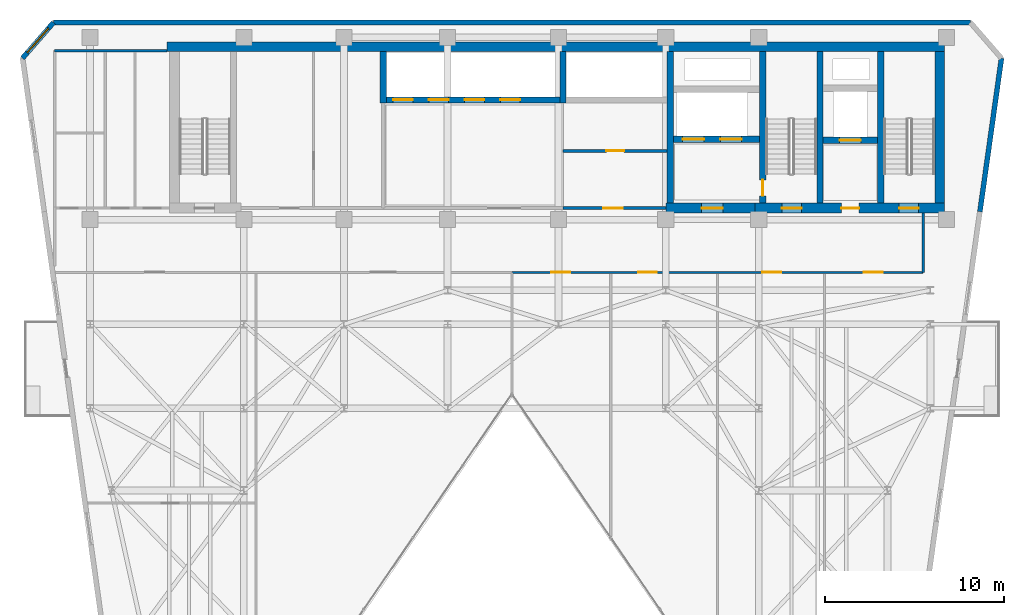
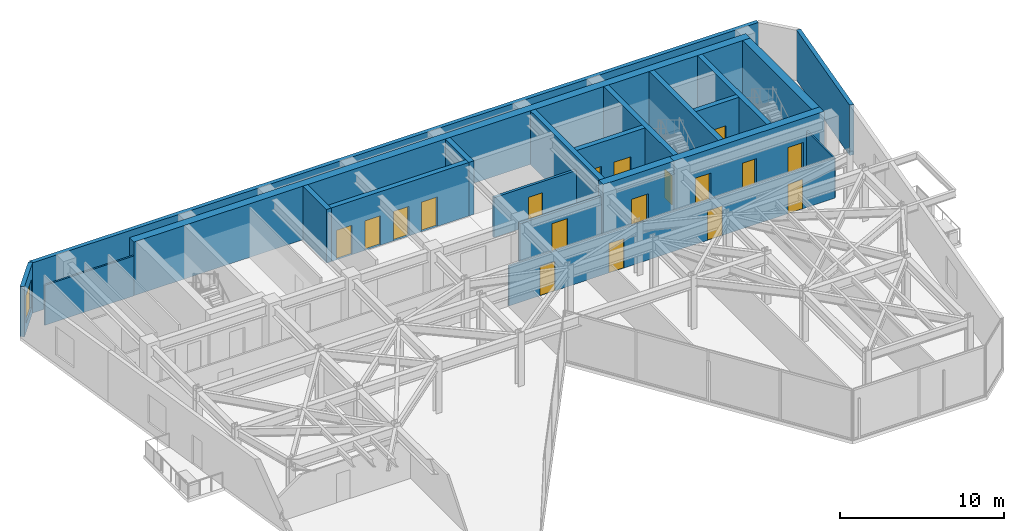
# One storey, part 17 of 21: 21 walls, 18 doors, 1 window, 19 openings.
"""IFC4 building model written with IfcOpenShell, lengths in metres."""

from ifc_helpers import new_model, si_unit, direction, frame, frame_2d, origin, place, context, subcontext, project, spatial, rectangle, extrude, material, layer, layer_set, type_object, element, fill, save


model = new_model("IFC4")

# Units and contexts
model_context = context("Model", 3, precision=1e-05, world=origin(), true_north=direction((0.0, 1.0)))
body_context = subcontext(model_context, "Body", "Model", "MODEL_VIEW")
ifc_project = project(units=[si_unit("LENGTHUNIT", "METRE"), si_unit("AREAUNIT", "SQUARE_METRE"), si_unit("VOLUMEUNIT", "CUBIC_METRE"), si_unit("PLANEANGLEUNIT", "RADIAN"), si_unit("MASSUNIT", "GRAM", prefix="KILO")], contexts=[model_context])

# Site, building, storey
site_placement = place(None, origin())
site = spatial("IfcSite", under=ifc_project, at=site_placement, CompositionType="ELEMENT")
building_placement = place(site_placement, origin())
building = spatial("IfcBuilding", under=site, at=building_placement, Name="Kravanh Interchange Tower", CompositionType="ELEMENT")
storey_placement = place(building_placement, frame((0.0, 0.0, 176.5)))
storey = spatial("IfcBuildingStorey", under=building, at=storey_placement, Name="L42", CompositionType="ELEMENT", Elevation=176.5)

# Wall
ifc_material_1 = material(Name="Double Acoustic Gypsum Board and Mineral Wool")
ifc_layer_1 = layer(ifc_material_1, 0.1201171875)
ifc_layer_set_1 = layer_set([ifc_layer_1], Name="Acoustic Office Drywall Partition 120mm")
wall_type_1 = type_object("IfcWallType", Name="Acoustic Office Drywall Partition 120mm", PredefinedType="PARTITIONING", material=ifc_layer_set_1)
wall_1_placement = place(storey_placement, frame((16.6201171875, 46.800048828125, 0.0), z_axis=(0.0, 0.0, 1.0), x_axis=(1.0, 0.0, 0.0)))
element("IfcWall", 1, at=wall_1_placement, inside=storey, type_object=wall_type_1, Name="L42 Restroom North Enclosure 9", PredefinedType="PARTITIONING", context=body_context, shape_type="SweptSolid", body=[
    extrude(rectangle(XDim=6.27978515625, YDim=0.1201171875, at=frame_2d((3.139892578125, 0.0))), origin(), (0.0, 0.0, 1.0), 2.98193359375),
])

# Wall, openings, doors
wall_2_placement = place(storey_placement, frame((42.199951171875, 34.39990234375, 0.0), z_axis=(0.0, 0.0, 1.0), x_axis=(1.0, 0.0, 0.0)))
wall_2 = element("IfcWall", 2, at=wall_2_placement, inside=storey, type_object=wall_type_1, Name="L42 Interior Partition 14", PredefinedType="PARTITIONING", context=body_context, shape_type="SweptSolid", body=[
    extrude(rectangle(XDim=23.0, YDim=0.1201171875, at=frame_2d((11.5, 0.0))), origin(), (0.0, 0.0, 1.0), 2.98193359375),
])
opening_1_placement = place(wall_2_placement, frame((2.194580078125, 0.0, 0.0)))
opening_1 = element("IfcOpeningElement", 3, at=opening_1_placement, cuts=wall_2, Name="Opening D-105", PredefinedType="OPENING", context=body_context, shape_type="SweptSolid", body=[
    extrude(rectangle(XDim=1.050048828125, YDim=2.199951171875, at=frame_2d((0.52490234375, 1.10009765625))), frame((0.0, 0.070068359375, 0.0), z_axis=(0.0, -1.0, 0.0), x_axis=(1.0, 0.0, 0.0)), (0.0, 0.0, 1.0), 0.14013671875),
])
opening_2_placement = place(wall_2_placement, frame((7.05859375, 0.0, 0.0)))
opening_2 = element("IfcOpeningElement", 4, at=opening_2_placement, cuts=wall_2, Name="Opening D-105", PredefinedType="OPENING", context=body_context, shape_type="SweptSolid", body=[
    extrude(rectangle(XDim=1.050048828125, YDim=2.199951171875, at=frame_2d((0.52490234375, 1.10009765625))), frame((0.0, 0.070068359375, 0.0), z_axis=(0.0, -1.0, 0.0), x_axis=(1.0, 0.0, 0.0)), (0.0, 0.0, 1.0), 0.14013671875),
])
opening_3_placement = place(wall_2_placement, frame((14.00537109375, 0.0, 0.0)))
opening_3 = element("IfcOpeningElement", 5, at=opening_3_placement, cuts=wall_2, Name="Opening D-105", PredefinedType="OPENING", context=body_context, shape_type="SweptSolid", body=[
    extrude(rectangle(XDim=1.050048828125, YDim=2.199951171875, at=frame_2d((0.52490234375, 1.10009765625))), frame((0.0, 0.070068359375, 0.0), z_axis=(0.0, -1.0, 0.0), x_axis=(1.0, 0.0, 0.0)), (0.0, 0.0, 1.0), 0.14013671875),
])
opening_4_placement = place(wall_2_placement, frame((19.674560546875, 0.0, 0.0)))
opening_4 = element("IfcOpeningElement", 6, at=opening_4_placement, cuts=wall_2, Name="Opening D-105", PredefinedType="OPENING", context=body_context, shape_type="SweptSolid", body=[
    extrude(rectangle(XDim=1.050048828125, YDim=2.199951171875, at=frame_2d((0.52490234375, 1.10009765625))), frame((0.0, 0.070068359375, 0.0), z_axis=(0.0, -1.0, 0.0), x_axis=(1.0, 0.0, 0.0)), (0.0, 0.0, 1.0), 0.14013671875),
])
ifc_material_2 = material(Name="Acoustic Glazed Oak and Aluminium", Category="aluminium")
door_type_1 = type_object("IfcDoorType", Name="Office Workplace Door 1050x2200", OperationType="NOTDEFINED", PredefinedType="DOOR", material=ifc_material_2)
door_1_placement = place(opening_1_placement, origin())
door_1 = element("IfcDoor", 7, at=door_1_placement, inside=storey, type_object=door_type_1, Name="L42 Panorama Club Lounge Door", OperationType="SINGLE_SWING_RIGHT", OverallHeight=2.199951171875, OverallWidth=1.050048828125, PredefinedType="DOOR", context=body_context, shape_type="SweptSolid", body=[
    extrude(rectangle(XDim=1.050048828125, YDim=2.199951171875, at=frame_2d((0.52490234375, 1.10009765625))), frame((0.0, 0.02490234375, 0.0), z_axis=(0.0, -1.0, 0.0), x_axis=(1.0, 0.0, 0.0)), (0.0, 0.0, 1.0), 0.050048828125),
])
fill(opening_1, door_1)
door_2_placement = place(opening_2_placement, origin())
door_2 = element("IfcDoor", 8, at=door_2_placement, inside=storey, type_object=door_type_1, Name="L42 Quiet Study B Door", OperationType="SINGLE_SWING_LEFT", OverallHeight=2.199951171875, OverallWidth=1.050048828125, PredefinedType="DOOR", context=body_context, shape_type="SweptSolid", body=[
    extrude(rectangle(XDim=1.050048828125, YDim=2.199951171875, at=frame_2d((0.52490234375, 1.10009765625))), frame((0.0, 0.02490234375, 0.0), z_axis=(0.0, -1.0, 0.0), x_axis=(1.0, 0.0, 0.0)), (0.0, 0.0, 1.0), 0.050048828125),
])
fill(opening_2, door_2)
door_3_placement = place(opening_3_placement, origin())
door_3 = element("IfcDoor", 9, at=door_3_placement, inside=storey, type_object=door_type_1, Name="L42 Reference Library Study C Door", OperationType="SINGLE_SWING_RIGHT", OverallHeight=2.199951171875, OverallWidth=1.050048828125, PredefinedType="DOOR", context=body_context, shape_type="SweptSolid", body=[
    extrude(rectangle(XDim=1.050048828125, YDim=2.199951171875, at=frame_2d((0.52490234375, 1.10009765625))), frame((0.0, 0.02490234375, 0.0), z_axis=(0.0, -1.0, 0.0), x_axis=(1.0, 0.0, 0.0)), (0.0, 0.0, 1.0), 0.050048828125),
])
fill(opening_3, door_3)
door_4_placement = place(opening_4_placement, origin())
door_4 = element("IfcDoor", 10, at=door_4_placement, inside=storey, type_object=door_type_1, Name="L42 East Balcony Office Door", OperationType="SINGLE_SWING_LEFT", OverallHeight=2.199951171875, OverallWidth=1.050048828125, PredefinedType="DOOR", context=body_context, shape_type="SweptSolid", body=[
    extrude(rectangle(XDim=1.050048828125, YDim=2.199951171875, at=frame_2d((0.52490234375, 1.10009765625))), frame((0.0, 0.02490234375, 0.0), z_axis=(0.0, -1.0, 0.0), x_axis=(1.0, 0.0, 0.0)), (0.0, 0.0, 1.0), 0.050048828125),
])
fill(opening_4, door_4)

# Walls
wall_3_placement = place(storey_placement, frame((65.199951171875, 34.39990234375, 0.0), z_axis=(0.0, 0.0, 1.0), x_axis=(0.0, 1.0, 0.0)))
element("IfcWall", 11, at=wall_3_placement, inside=storey, type_object=wall_type_1, Name="L42 Interior Partition 16", PredefinedType="PARTITIONING", context=body_context, shape_type="SweptSolid", body=[
    extrude(rectangle(XDim=3.317138671875, YDim=0.1201171875, at=frame_2d((1.65869140625, 0.0))), origin(), (0.0, 0.0, 1.0), 2.98193359375),
])
ifc_material_3 = material(Name="Concrete C60/75", Category="concrete")
ifc_layer_2 = layer(ifc_material_3, 0.35009765625)
ifc_layer_set_2 = layer_set([ifc_layer_2], Name="Core Shear Wall Concrete C60/75 350mm")
wall_type_2 = type_object("IfcWallType", Name="Core Shear Wall Concrete C60/75 350mm", PredefinedType="SHEAR", material=ifc_layer_set_2)
for number, where, z_axis, x_axis, name in (
    (12, (62.824951171875, 38.27490234375, 0.0), (0.0, 0.0, 1.0), (0.0, 1.0, 0.0), "L42 Stair ST1 West Shear Wall"),
    (13, (59.425048828125, 38.27490234375, 0.0), (0.0, 0.0, 1.0), (0.0, 1.0, 0.0), "L42 Stair ST2 East Shear Wall"),
):
    element("IfcWall", number, at=place(storey_placement, frame(where, z_axis=z_axis, x_axis=x_axis)), inside=storey, type_object=wall_type_2, Name=name, PredefinedType="SHEAR", context=body_context, shape_type="SweptSolid", body=[
        extrude(rectangle(XDim=8.47509765625, YDim=0.35009765625, at=frame_2d((4.237548828125, 0.0))), origin(), (0.0, 0.0, 1.0), 4.0),
    ])

# Wall, opening, door
wall_4_placement = place(storey_placement, frame((56.22509765625, 38.27490234375, 0.0), z_axis=(0.0, 0.0, 1.0), x_axis=(0.0, 1.0, 0.0)))
wall_4 = element("IfcWall", 14, at=wall_4_placement, inside=storey, type_object=wall_type_2, Name="L42 Stair ST2 West Shear Wall", PredefinedType="SHEAR", context=body_context, shape_type="SweptSolid", body=[
    extrude(rectangle(XDim=8.47509765625, YDim=0.35009765625, at=frame_2d((4.237548828125, 0.0))), origin(), (0.0, 0.0, 1.0), 4.0),
])
opening_5_placement = place(wall_4_placement, frame((0.405029296875, 0.0, 0.0)))
opening_5 = element("IfcOpeningElement", 15, at=opening_5_placement, cuts=wall_4, Name="Opening D-STAIR-90", PredefinedType="OPENING", context=body_context, shape_type="SweptSolid", body=[
    extrude(rectangle(XDim=0.89990234375, YDim=2.14990234375, at=frame_2d((0.449951171875, 1.074951171875))), frame((0.0, 0.18505859375, 0.0), z_axis=(0.0, -1.0, 0.0), x_axis=(1.0, 0.0, 0.0)), (0.0, 0.0, 1.0), 0.3701171875),
])
ifc_material_4 = material(Name="Structural Steel S355", Category="steel")
door_type_2 = type_object("IfcDoorType", Name="Fire-Rated Stair Lobby Door 900x2150", OperationType="NOTDEFINED", PredefinedType="DOOR", material=ifc_material_4)
door_5_placement = place(opening_5_placement, origin())
door_5 = element("IfcDoor", 16, at=door_5_placement, inside=storey, type_object=door_type_2, Name="L42 Firefighting Lobby to Stair ST2 Door", OperationType="SINGLE_SWING_LEFT", OverallHeight=2.14990234375, OverallWidth=0.89990234375, PredefinedType="DOOR", context=body_context, shape_type="SweptSolid", body=[
    extrude(rectangle(XDim=0.89990234375, YDim=2.14990234375, at=frame_2d((0.449951171875, 1.074951171875))), frame((0.0, 0.02490234375, 0.0), z_axis=(0.0, -1.0, 0.0), x_axis=(1.0, 0.0, 0.0)), (0.0, 0.0, 1.0), 0.050048828125),
])
fill(opening_5, door_5)

wall_5_placement = place(storey_placement, frame((59.60009765625, 41.800048828125, 0.0), z_axis=(0.0, 0.0, 1.0), x_axis=(1.0, 0.0, 0.0)))
wall_5 = element("IfcWall", 17, at=wall_5_placement, inside=storey, type_object=wall_type_2, Name="L42 Service Lift Shaft South Wall", PredefinedType="SHEAR", context=body_context, shape_type="SweptSolid", body=[
    extrude(rectangle(XDim=3.0498046875, YDim=0.35009765625, at=frame_2d((1.52490234375, 0.0))), origin(), (0.0, 0.0, 1.0), 4.0),
])
opening_6_placement = place(wall_5_placement, frame((0.919921875, 0.0, 0.0)))
opening_6 = element("IfcOpeningElement", 18, at=opening_6_placement, cuts=wall_5, Name="Opening LD02", PredefinedType="OPENING", context=body_context, shape_type="SweptSolid", body=[
    extrude(rectangle(XDim=1.199951171875, YDim=2.199951171875, at=frame_2d((0.60009765625, 1.10009765625))), frame((0.0, 0.18505859375, 0.0), z_axis=(0.0, -1.0, 0.0), x_axis=(1.0, 0.0, 0.0)), (0.0, 0.0, 1.0), 0.3701171875),
])
ifc_material_5 = material(Name="Stainless Steel 316", Category="steel")
door_type_3 = type_object("IfcDoorType", Name="Fire and Service Lift Sliding Landing Door 1200x2200", OperationType="DOUBLE_DOOR_SLIDING", PredefinedType="DOOR", material=ifc_material_5)
door_6_placement = place(opening_6_placement, origin())
door_6 = element("IfcDoor", 19, at=door_6_placement, inside=storey, type_object=door_type_3, Name="L42 Lift LS-01 Landing Door", OperationType="DOUBLE_DOOR_SLIDING", OverallHeight=2.199951171875, OverallWidth=1.199951171875, PredefinedType="DOOR", context=body_context, shape_type="SweptSolid", body=[
    extrude(rectangle(XDim=1.199951171875, YDim=2.199951171875, at=frame_2d((0.60009765625, 1.10009765625))), frame((0.0, 0.02490234375, 0.0), z_axis=(0.0, -1.0, 0.0), x_axis=(1.0, 0.0, 0.0)), (0.0, 0.0, 1.0), 0.050048828125),
])
fill(opening_6, door_6)

# Wall, openings, doors
wall_6_placement = place(storey_placement, frame((51.22509765625, 41.85009765625, 0.0), z_axis=(0.0, 0.0, 1.0), x_axis=(1.0, 0.0, 0.0)))
wall_6 = element("IfcWall", 20, at=wall_6_placement, inside=storey, type_object=wall_type_2, Name="L42 Fire Lift Shaft South Wall", PredefinedType="SHEAR", context=body_context, shape_type="SweptSolid", body=[
    extrude(rectangle(XDim=4.824951171875, YDim=0.35009765625, at=frame_2d((2.41259765625, 0.0))), origin(), (0.0, 0.0, 1.0), 4.0),
])
opening_7_placement = place(wall_6_placement, frame((0.52490234375, 0.0, 0.0)))
opening_7 = element("IfcOpeningElement", 21, at=opening_7_placement, cuts=wall_6, Name="Opening LD02", PredefinedType="OPENING", context=body_context, shape_type="SweptSolid", body=[
    extrude(rectangle(XDim=1.199951171875, YDim=2.199951171875, at=frame_2d((0.60009765625, 1.10009765625))), frame((0.0, 0.18505859375, 0.0), z_axis=(0.0, -1.0, 0.0), x_axis=(1.0, 0.0, 0.0)), (0.0, 0.0, 1.0), 0.3701171875),
])
opening_8_placement = place(wall_6_placement, frame((2.625, 0.0, 0.0)))
opening_8 = element("IfcOpeningElement", 22, at=opening_8_placement, cuts=wall_6, Name="Opening LD02", PredefinedType="OPENING", context=body_context, shape_type="SweptSolid", body=[
    extrude(rectangle(XDim=1.199951171875, YDim=2.199951171875, at=frame_2d((0.60009765625, 1.10009765625))), frame((0.0, 0.18505859375, 0.0), z_axis=(0.0, -1.0, 0.0), x_axis=(1.0, 0.0, 0.0)), (0.0, 0.0, 1.0), 0.3701171875),
])
door_7_placement = place(opening_7_placement, origin())
door_7 = element("IfcDoor", 23, at=door_7_placement, inside=storey, type_object=door_type_3, Name="L42 Lift FSAE-01 Landing Door", OperationType="DOUBLE_DOOR_SLIDING", OverallHeight=2.199951171875, OverallWidth=1.199951171875, PredefinedType="DOOR", context=body_context, shape_type="SweptSolid", body=[
    extrude(rectangle(XDim=1.199951171875, YDim=2.199951171875, at=frame_2d((0.60009765625, 1.10009765625))), frame((0.0, 0.02490234375, 0.0), z_axis=(0.0, -1.0, 0.0), x_axis=(1.0, 0.0, 0.0)), (0.0, 0.0, 1.0), 0.050048828125),
])
fill(opening_7, door_7)
door_8_placement = place(opening_8_placement, origin())
door_8 = element("IfcDoor", 24, at=door_8_placement, inside=storey, type_object=door_type_3, Name="L42 Lift FSAE-02 Landing Door", OperationType="DOUBLE_DOOR_SLIDING", OverallHeight=2.199951171875, OverallWidth=1.199951171875, PredefinedType="DOOR", context=body_context, shape_type="SweptSolid", body=[
    extrude(rectangle(XDim=1.199951171875, YDim=2.199951171875, at=frame_2d((0.60009765625, 1.10009765625))), frame((0.0, 0.02490234375, 0.0), z_axis=(0.0, -1.0, 0.0), x_axis=(1.0, 0.0, 0.0)), (0.0, 0.0, 1.0), 0.050048828125),
])
fill(opening_8, door_8)

# Walls
wall_7_placement = place(storey_placement, frame((51.050048828125, 38.27490234375, 0.0), z_axis=(0.0, 0.0, 1.0), x_axis=(0.0, 1.0, 0.0)))
element("IfcWall", 25, at=wall_7_placement, inside=storey, type_object=wall_type_2, Name="L42 Firefighting Lobby West Wall", PredefinedType="SHEAR", context=body_context, shape_type="SweptSolid", body=[
    extrude(rectangle(XDim=8.47509765625, YDim=0.35009765625, at=frame_2d((4.237548828125, 0.0))), origin(), (0.0, 0.0, 1.0), 4.0),
])
wall_8_placement = place(storey_placement, frame((45.050048828125, 43.875, 0.0), z_axis=(0.0, 0.0, 1.0), x_axis=(0.0, 1.0, 0.0)))
element("IfcWall", 26, at=wall_8_placement, inside=storey, type_object=wall_type_2, Name="L42 High-Rise Lift Shaft West Wall", PredefinedType="SHEAR", context=body_context, shape_type="SweptSolid", body=[
    extrude(rectangle(XDim=2.875, YDim=0.35009765625, at=frame_2d((1.4375, 0.0))), origin(), (0.0, 0.0, 1.0), 4.0),
])

# Wall, openings, doors
wall_9_placement = place(storey_placement, frame((35.175048828125, 44.050048828125, 0.0), z_axis=(0.0, 0.0, 1.0), x_axis=(1.0, 0.0, 0.0)))
wall_9 = element("IfcWall", 27, at=wall_9_placement, inside=storey, type_object=wall_type_2, Name="L42 Mid-Rise Lift Shaft South Wall", PredefinedType="SHEAR", context=body_context, shape_type="SweptSolid", body=[
    extrude(rectangle(XDim=9.699951171875, YDim=0.35009765625, at=frame_2d((4.85009765625, 0.0))), origin(), (0.0, 0.0, 1.0), 4.0),
])
opening_9_placement = place(wall_9_placement, frame((0.375, 0.0, 0.0)))
opening_9 = element("IfcOpeningElement", 28, at=opening_9_placement, cuts=wall_9, Name="Opening LD01", PredefinedType="OPENING", context=body_context, shape_type="SweptSolid", body=[
    extrude(rectangle(XDim=1.10009765625, YDim=2.199951171875, at=frame_2d((0.550048828125, 1.10009765625))), frame((0.0, 0.18505859375, 0.0), z_axis=(0.0, -1.0, 0.0), x_axis=(1.0, 0.0, 0.0)), (0.0, 0.0, 1.0), 0.3701171875),
])
opening_10_placement = place(wall_9_placement, frame((2.375, 0.0, 0.0)))
opening_10 = element("IfcOpeningElement", 29, at=opening_10_placement, cuts=wall_9, Name="Opening LD01", PredefinedType="OPENING", context=body_context, shape_type="SweptSolid", body=[
    extrude(rectangle(XDim=1.10009765625, YDim=2.199951171875, at=frame_2d((0.550048828125, 1.10009765625))), frame((0.0, 0.18505859375, 0.0), z_axis=(0.0, -1.0, 0.0), x_axis=(1.0, 0.0, 0.0)), (0.0, 0.0, 1.0), 0.3701171875),
])
opening_11_placement = place(wall_9_placement, frame((4.375, 0.0, 0.0)))
opening_11 = element("IfcOpeningElement", 30, at=opening_11_placement, cuts=wall_9, Name="Opening LD01", PredefinedType="OPENING", context=body_context, shape_type="SweptSolid", body=[
    extrude(rectangle(XDim=1.10009765625, YDim=2.199951171875, at=frame_2d((0.550048828125, 1.10009765625))), frame((0.0, 0.18505859375, 0.0), z_axis=(0.0, -1.0, 0.0), x_axis=(1.0, 0.0, 0.0)), (0.0, 0.0, 1.0), 0.3701171875),
])
opening_12_placement = place(wall_9_placement, frame((6.375, 0.0, 0.0)))
opening_12 = element("IfcOpeningElement", 31, at=opening_12_placement, cuts=wall_9, Name="Opening LD01", PredefinedType="OPENING", context=body_context, shape_type="SweptSolid", body=[
    extrude(rectangle(XDim=1.10009765625, YDim=2.199951171875, at=frame_2d((0.550048828125, 1.10009765625))), frame((0.0, 0.18505859375, 0.0), z_axis=(0.0, -1.0, 0.0), x_axis=(1.0, 0.0, 0.0)), (0.0, 0.0, 1.0), 0.3701171875),
])
ifc_material_6 = material(Name="Stainless Steel 304", Category="steel")
door_type_4 = type_object("IfcDoorType", Name="Passenger Lift Sliding Landing Door 1100x2200", OperationType="DOUBLE_DOOR_SLIDING", PredefinedType="DOOR", material=ifc_material_6)
door_9_placement = place(opening_9_placement, origin())
door_9 = element("IfcDoor", 32, at=door_9_placement, inside=storey, type_object=door_type_4, Name="L42 Lift LP-M1 Landing Door", OperationType="DOUBLE_DOOR_SLIDING", OverallHeight=2.199951171875, OverallWidth=1.10009765625, PredefinedType="DOOR", context=body_context, shape_type="SweptSolid", body=[
    extrude(rectangle(XDim=1.10009765625, YDim=2.199951171875, at=frame_2d((0.550048828125, 1.10009765625))), frame((0.0, 0.02490234375, 0.0), z_axis=(0.0, -1.0, 0.0), x_axis=(1.0, 0.0, 0.0)), (0.0, 0.0, 1.0), 0.050048828125),
])
fill(opening_9, door_9)
door_10_placement = place(opening_10_placement, origin())
door_10 = element("IfcDoor", 33, at=door_10_placement, inside=storey, type_object=door_type_4, Name="L42 Lift LP-M2 Landing Door", OperationType="DOUBLE_DOOR_SLIDING", OverallHeight=2.199951171875, OverallWidth=1.10009765625, PredefinedType="DOOR", context=body_context, shape_type="SweptSolid", body=[
    extrude(rectangle(XDim=1.10009765625, YDim=2.199951171875, at=frame_2d((0.550048828125, 1.10009765625))), frame((0.0, 0.02490234375, 0.0), z_axis=(0.0, -1.0, 0.0), x_axis=(1.0, 0.0, 0.0)), (0.0, 0.0, 1.0), 0.050048828125),
])
fill(opening_10, door_10)
door_11_placement = place(opening_11_placement, origin())
door_11 = element("IfcDoor", 34, at=door_11_placement, inside=storey, type_object=door_type_4, Name="L42 Lift LP-M3 Landing Door", OperationType="DOUBLE_DOOR_SLIDING", OverallHeight=2.199951171875, OverallWidth=1.10009765625, PredefinedType="DOOR", context=body_context, shape_type="SweptSolid", body=[
    extrude(rectangle(XDim=1.10009765625, YDim=2.199951171875, at=frame_2d((0.550048828125, 1.10009765625))), frame((0.0, 0.02490234375, 0.0), z_axis=(0.0, -1.0, 0.0), x_axis=(1.0, 0.0, 0.0)), (0.0, 0.0, 1.0), 0.050048828125),
])
fill(opening_11, door_11)
door_12_placement = place(opening_12_placement, origin())
door_12 = element("IfcDoor", 35, at=door_12_placement, inside=storey, type_object=door_type_4, Name="L42 Lift LP-M4 Landing Door", OperationType="DOUBLE_DOOR_SLIDING", OverallHeight=2.199951171875, OverallWidth=1.10009765625, PredefinedType="DOOR", context=body_context, shape_type="SweptSolid", body=[
    extrude(rectangle(XDim=1.10009765625, YDim=2.199951171875, at=frame_2d((0.550048828125, 1.10009765625))), frame((0.0, 0.02490234375, 0.0), z_axis=(0.0, -1.0, 0.0), x_axis=(1.0, 0.0, 0.0)), (0.0, 0.0, 1.0), 0.050048828125),
])
fill(opening_12, door_12)

# Walls
wall_10_placement = place(storey_placement, frame((35.0, 43.875, 0.0), z_axis=(0.0, 0.0, 1.0), x_axis=(0.0, 1.0, 0.0)))
element("IfcWall", 36, at=wall_10_placement, inside=storey, type_object=wall_type_2, Name="L42 Mid-Rise Lift Shaft West Wall", PredefinedType="SHEAR", context=body_context, shape_type="SweptSolid", body=[
    extrude(rectangle(XDim=2.875, YDim=0.35009765625, at=frame_2d((1.4375, 0.0))), origin(), (0.0, 0.0, 1.0), 4.0),
])
ifc_material_7 = material(Name="Concrete C70/85", Category="concrete")
ifc_layer_3 = layer(ifc_material_7, 0.550048828125)
ifc_layer_set_3 = layer_set([ifc_layer_3], Name="Core Shear Wall Concrete C70/85 550mm")
wall_type_3 = type_object("IfcWallType", Name="Core Shear Wall Concrete C70/85 550mm", PredefinedType="SHEAR", material=ifc_layer_set_3)
wall_11_placement = place(storey_placement, frame((22.89990234375, 47.02490234375, 0.0), z_axis=(0.0, 0.0, 1.0), x_axis=(1.0, 0.0, 0.0)))
element("IfcWall", 37, at=wall_11_placement, inside=storey, type_object=wall_type_3, Name="L42 North Core Shear Wall", PredefinedType="SHEAR", context=body_context, shape_type="SweptSolid", body=[
    extrude(rectangle(XDim=43.5, YDim=0.550048828125, at=frame_2d((21.75, 0.0))), origin(), (0.0, 0.0, 1.0), 4.0),
])

# Wall, openings, doors
wall_12_placement = place(storey_placement, frame((55.800048828125, 38.0, 0.0), z_axis=(0.0, 0.0, 1.0), x_axis=(1.0, 0.0, 0.0)))
wall_12 = element("IfcWall", 38, at=wall_12_placement, inside=storey, type_object=wall_type_3, Name="L42 East Core South Shear Wall", PredefinedType="SHEAR", context=body_context, shape_type="SweptSolid", body=[
    extrude(rectangle(XDim=10.599853515625, YDim=0.550048828125, at=frame_2d((5.2998046875, 0.0))), origin(), (0.0, 0.0, 1.0), 4.0),
])
opening_13_placement = place(wall_12_placement, frame((1.5, 0.0, 0.0)))
opening_13 = element("IfcOpeningElement", 39, at=opening_13_placement, cuts=wall_12, Name="Opening D-STAIR-110", PredefinedType="OPENING", context=body_context, shape_type="SweptSolid", body=[
    extrude(rectangle(XDim=1.10009765625, YDim=2.199951171875, at=frame_2d((0.550048828125, 1.10009765625))), frame((0.0, 0.28515625, 0.0), z_axis=(0.0, -1.0, 0.0), x_axis=(1.0, 0.0, 0.0)), (0.0, 0.0, 1.0), 0.570068359375),
])
opening_14_placement = place(wall_12_placement, frame((4.820068359375, 0.0, 0.0)))
opening_14 = element("IfcOpeningElement", 40, at=opening_14_placement, cuts=wall_12, Name="Opening D-HOTEL-100", PredefinedType="OPENING", context=body_context, shape_type="SweptSolid", body=[
    extrude(rectangle(XDim=1.0, YDim=2.14990234375, at=frame_2d((0.5, 1.074951171875))), frame((0.0, 0.28515625, 0.0), z_axis=(0.0, -1.0, 0.0), x_axis=(1.0, 0.0, 0.0)), (0.0, 0.0, 1.0), 0.570068359375),
])
opening_15_placement = place(wall_12_placement, frame((8.050048828125, 0.0, 0.0)))
opening_15 = element("IfcOpeningElement", 41, at=opening_15_placement, cuts=wall_12, Name="Opening D-STAIR-110", PredefinedType="OPENING", context=body_context, shape_type="SweptSolid", body=[
    extrude(rectangle(XDim=1.10009765625, YDim=2.199951171875, at=frame_2d((0.550048828125, 1.10009765625))), frame((0.0, 0.28515625, 0.0), z_axis=(0.0, -1.0, 0.0), x_axis=(1.0, 0.0, 0.0)), (0.0, 0.0, 1.0), 0.570068359375),
])
ifc_material_8 = material(Name="Structural Steel S355", Category="steel")
door_type_5 = type_object("IfcDoorType", Name="Fire-Rated Exit Stair Door 1100x2200", OperationType="NOTDEFINED", PredefinedType="DOOR", material=ifc_material_8)
door_13_placement = place(opening_13_placement, origin())
door_13 = element("IfcDoor", 42, at=door_13_placement, inside=storey, type_object=door_type_5, Name="L42 Exit Stair ST2 Door", OperationType="SINGLE_SWING_RIGHT", OverallHeight=2.199951171875, OverallWidth=1.10009765625, PredefinedType="DOOR", context=body_context, shape_type="SweptSolid", body=[
    extrude(rectangle(XDim=1.10009765625, YDim=2.199951171875, at=frame_2d((0.550048828125, 1.10009765625))), frame((0.0, 0.02490234375, 0.0), z_axis=(0.0, -1.0, 0.0), x_axis=(1.0, 0.0, 0.0)), (0.0, 0.0, 1.0), 0.050048828125),
])
fill(opening_13, door_13)
door_14_placement = place(opening_15_placement, origin())
door_14 = element("IfcDoor", 43, at=door_14_placement, inside=storey, type_object=door_type_5, Name="L42 Exit Stair ST1 Door", OperationType="SINGLE_SWING_RIGHT", OverallHeight=2.199951171875, OverallWidth=1.10009765625, PredefinedType="DOOR", context=body_context, shape_type="SweptSolid", body=[
    extrude(rectangle(XDim=1.10009765625, YDim=2.199951171875, at=frame_2d((0.550048828125, 1.10009765625))), frame((0.0, 0.02490234375, 0.0), z_axis=(0.0, -1.0, 0.0), x_axis=(1.0, 0.0, 0.0)), (0.0, 0.0, 1.0), 0.050048828125),
])
fill(opening_15, door_14)
ifc_material_9 = material(Name="Fire-Rated Solid Timber Leaf", Category="wood")
door_type_6 = type_object("IfcDoorType", Name="Fire-Rated Suite Entrance Door 1000x2150", OperationType="NOTDEFINED", PredefinedType="DOOR", material=ifc_material_9)
door_15_placement = place(opening_14_placement, origin())
door_15 = element("IfcDoor", 44, at=door_15_placement, inside=storey, type_object=door_type_6, Name="L42 Service Lift Lobby Door", OperationType="SINGLE_SWING_RIGHT", OverallHeight=2.14990234375, OverallWidth=1.0, PredefinedType="DOOR", context=body_context, shape_type="SweptSolid", body=[
    extrude(rectangle(XDim=1.0, YDim=2.14990234375, at=frame_2d((0.5, 1.074951171875))), frame((0.0, 0.02490234375, 0.0), z_axis=(0.0, -1.0, 0.0), x_axis=(1.0, 0.0, 0.0)), (0.0, 0.0, 1.0), 0.050048828125),
])
fill(opening_14, door_15)

# Wall
wall_13_placement = place(storey_placement, frame((66.125, 38.27490234375, 0.0), z_axis=(0.0, 0.0, 1.0), x_axis=(0.0, 1.0, 0.0)))
element("IfcWall", 45, at=wall_13_placement, inside=storey, type_object=wall_type_3, Name="L42 Stair ST1 East Shear Wall", PredefinedType="SHEAR", context=body_context, shape_type="SweptSolid", body=[
    extrude(rectangle(XDim=8.47509765625, YDim=0.550048828125, at=frame_2d((4.237548828125, 0.0))), origin(), (0.0, 0.0, 1.0), 4.0),
])

# Wall, opening, door
wall_14_placement = place(storey_placement, frame((50.800048828125, 38.0, 0.0), z_axis=(0.0, 0.0, 1.0), x_axis=(1.0, 0.0, 0.0)))
wall_14 = element("IfcWall", 46, at=wall_14_placement, inside=storey, type_object=wall_type_3, Name="L42 Firefighting Lobby South Shear Wall", PredefinedType="SHEAR", context=body_context, shape_type="SweptSolid", body=[
    extrude(rectangle(XDim=5.0, YDim=0.550048828125, at=frame_2d((2.5, 0.0))), origin(), (0.0, 0.0, 1.0), 4.0),
])
opening_16_placement = place(wall_14_placement, frame((2.0, 0.0, 0.0)))
opening_16 = element("IfcOpeningElement", 47, at=opening_16_placement, cuts=wall_14, Name="Opening D-FSAE-120", PredefinedType="OPENING", context=body_context, shape_type="SweptSolid", body=[
    extrude(rectangle(XDim=1.199951171875, YDim=2.199951171875, at=frame_2d((0.60009765625, 1.10009765625))), frame((0.0, 0.28515625, 0.0), z_axis=(0.0, -1.0, 0.0), x_axis=(1.0, 0.0, 0.0)), (0.0, 0.0, 1.0), 0.570068359375),
])
ifc_material_10 = material(Name="Structural Steel S355", Category="steel")
door_type_7 = type_object("IfcDoorType", Name="Fire-Rated Refuge and FSAE Door 1200x2200", OperationType="NOTDEFINED", PredefinedType="DOOR", material=ifc_material_10)
door_16_placement = place(opening_16_placement, origin())
door_16 = element("IfcDoor", 48, at=door_16_placement, inside=storey, type_object=door_type_7, Name="L42 Firefighting Lobby Corridor Door", OperationType="SINGLE_SWING_RIGHT", OverallHeight=2.199951171875, OverallWidth=1.199951171875, PredefinedType="DOOR", context=body_context, shape_type="SweptSolid", body=[
    extrude(rectangle(XDim=1.199951171875, YDim=2.199951171875, at=frame_2d((0.60009765625, 1.10009765625))), frame((0.0, 0.02490234375, 0.0), z_axis=(0.0, -1.0, 0.0), x_axis=(1.0, 0.0, 0.0)), (0.0, 0.0, 1.0), 0.050048828125),
])
fill(opening_16, door_16)

# Wall, opening, window
ifc_material_11 = material(Name="Insulated Precast Concrete C40/50 with Bronze Cladding", Category="concrete")
ifc_layer_4 = layer(ifc_material_11, 0.280029296875)
ifc_layer_set_4 = layer_set([ifc_layer_4], Name="Exterior Insulated Concrete C40/50 Bronze Spandrel Wall 280mm")
wall_type_4 = type_object("IfcWallType", Name="Exterior Insulated Concrete C40/50 Bronze Spandrel Wall 280mm", PredefinedType="STANDARD", material=ifc_layer_set_4)
wall_15_placement = place(storey_placement, frame((14.818603515625, 46.3828125, 0.0), z_axis=(0.0, 0.0, 1.0), x_axis=(0.656071351282, 0.754698868442, 0.0)))
wall_15 = element("IfcWall", 49, at=wall_15_placement, inside=storey, type_object=wall_type_4, Name="L42 Exterior Wall 3", PredefinedType="STANDARD", context=body_context, shape_type="SweptSolid", body=[
    extrude(rectangle(XDim=2.646240234375, YDim=0.280029296875, at=frame_2d((1.3232421875, 0.0))), origin(), (0.0, 0.0, 1.0), 3.7548828125),
])
opening_17_placement = place(wall_15_placement, frame((0.41552734375, 0.0, 0.64990234375)))
opening_17 = element("IfcOpeningElement", 50, at=opening_17_placement, cuts=wall_15, Name="Opening WN-180X210", PredefinedType="OPENING", context=body_context, shape_type="SweptSolid", body=[
    extrude(rectangle(XDim=1.800048828125, YDim=2.10009765625, at=frame_2d((0.89990234375, 1.050048828125))), frame((0.0, 0.14990234375, 0.0), z_axis=(0.0, -1.0, 0.0), x_axis=(1.0, 0.0, 0.0)), (0.0, 0.0, 1.0), 0.300048828125),
])
ifc_material_12 = material(Name="Thermally Broken Bronze Aluminium and Low-E Glass", Category="aluminium")
window_type = type_object("IfcWindowType", Name="Tower Pier Window 1800x2100", PartitioningType="SINGLE_PANEL", PredefinedType="WINDOW", material=ifc_material_12)
window_placement = place(opening_17_placement, origin())
window = element("IfcWindow", 51, at=window_placement, inside=storey, type_object=window_type, Name="L42 Corner Window 3", OverallHeight=2.10009765625, OverallWidth=1.800048828125, PartitioningType="SINGLE_PANEL", PredefinedType="WINDOW", context=body_context, shape_type="SweptSolid", body=[
    extrude(rectangle(XDim=1.800048828125, YDim=2.10009765625, at=frame_2d((0.89990234375, 1.050048828125))), frame((0.0, 0.030029296875, 0.0), z_axis=(0.0, -1.0, 0.0), x_axis=(1.0, 0.0, 0.0)), (0.0, 0.0, 1.0), 0.06005859375),
])
fill(opening_17, window)

# Walls
wall_16_placement = place(storey_placement, frame((16.5546875, 48.3798828125, 0.0), z_axis=(0.0, 0.0, 1.0), x_axis=(1.0, 0.0, 0.0)))
element("IfcWall", 52, at=wall_16_placement, inside=storey, type_object=wall_type_4, Name="L42 Exterior Wall 4", PredefinedType="STANDARD", context=body_context, shape_type="SweptSolid", body=[
    extrude(rectangle(XDim=51.29052734375, YDim=0.280029296875, at=frame_2d((25.645263671875, 0.0))), origin(), (0.0, 0.0, 1.0), 3.7548828125),
])
wall_17_placement = place(storey_placement, frame((69.581298828125, 46.3828125, 0.0), z_axis=(0.0, 0.0, 1.0), x_axis=(-0.13918102754, -0.990266954701, 0.0)))
element("IfcWall", 53, at=wall_17_placement, inside=storey, type_object=wall_type_4, Name="L42 Exterior Wall 6", PredefinedType="STANDARD", context=body_context, shape_type="SweptSolid", body=[
    extrude(rectangle(XDim=8.667236328125, YDim=0.280029296875, at=frame_2d((4.33349609375, 0.0))), origin(), (0.0, 0.0, 1.0), 3.7548828125),
])

# Wall, opening, door
ifc_material_13 = material(Name="Autoclaved Aerated Concrete C30/37 Blockwork", Category="masonry")
ifc_layer_5 = layer(ifc_material_13, 0.179931640625)
ifc_layer_set_5 = layer_set([ifc_layer_5], Name="Fire-Rated Lobby and Corridor Wall Concrete C30/37 180mm")
wall_type_5 = type_object("IfcWallType", Name="Fire-Rated Lobby and Corridor Wall Concrete C30/37 180mm", PredefinedType="STANDARD", material=ifc_layer_set_5)
wall_18_placement = place(storey_placement, frame((45.050048828125, 38.0, 0.0), z_axis=(0.0, 0.0, 1.0), x_axis=(1.0, 0.0, 0.0)))
wall_18 = element("IfcWall", 54, at=wall_18_placement, inside=storey, type_object=wall_type_5, Name="L42 Core South Enclosure 1", PredefinedType="STANDARD", context=body_context, shape_type="SweptSolid", body=[
    extrude(rectangle(XDim=5.75, YDim=0.179931640625, at=frame_2d((2.875, 0.0))), origin(), (0.0, 0.0, 1.0), 2.98193359375),
])
opening_18_placement = place(wall_18_placement, frame((2.240478515625, 0.0, 0.0)))
opening_18 = element("IfcOpeningElement", 55, at=opening_18_placement, cuts=wall_18, Name="Opening D-SHAFT-110", PredefinedType="OPENING", context=body_context, shape_type="SweptSolid", body=[
    extrude(rectangle(XDim=1.10009765625, YDim=2.199951171875, at=frame_2d((0.550048828125, 1.10009765625))), frame((0.0, 0.10009765625, 0.0), z_axis=(0.0, -1.0, 0.0), x_axis=(1.0, 0.0, 0.0)), (0.0, 0.0, 1.0), 0.199951171875),
])
ifc_material_14 = material(Name="Fire-Rated Composite Timber Leaf", Category="wood")
door_type_8 = type_object("IfcDoorType", Name="Fire-Rated Core Support Door 1100x2200", OperationType="NOTDEFINED", PredefinedType="DOOR", material=ifc_material_14)
door_17_placement = place(opening_18_placement, origin())
door_17 = element("IfcDoor", 56, at=door_17_placement, inside=storey, type_object=door_type_8, Name="L42 Core Telecom Room Door", OperationType="SINGLE_SWING_RIGHT", OverallHeight=2.199951171875, OverallWidth=1.10009765625, PredefinedType="DOOR", context=body_context, shape_type="SweptSolid", body=[
    extrude(rectangle(XDim=1.10009765625, YDim=2.199951171875, at=frame_2d((0.550048828125, 1.10009765625))), frame((0.0, 0.02490234375, 0.0), z_axis=(0.0, -1.0, 0.0), x_axis=(1.0, 0.0, 0.0)), (0.0, 0.0, 1.0), 0.050048828125),
])
fill(opening_18, door_17)

wall_19_placement = place(storey_placement, frame((45.050048828125, 41.199951171875, 0.0), z_axis=(0.0, 0.0, 1.0), x_axis=(1.0, 0.0, 0.0)))
wall_19 = element("IfcWall", 57, at=wall_19_placement, inside=storey, type_object=wall_type_5, Name="L42 Interior Partition 2", PredefinedType="STANDARD", context=body_context, shape_type="SweptSolid", body=[
    extrude(rectangle(XDim=5.81689453125, YDim=0.179931640625, at=frame_2d((2.908447265625, 0.0))), origin(), (0.0, 0.0, 1.0), 2.98193359375),
])
opening_19_placement = place(wall_19_placement, frame((2.425048828125, 0.0, 0.0)))
opening_19 = element("IfcOpeningElement", 58, at=opening_19_placement, cuts=wall_19, Name="Opening D-HOTEL-100", PredefinedType="OPENING", context=body_context, shape_type="SweptSolid", body=[
    extrude(rectangle(XDim=1.0, YDim=2.14990234375, at=frame_2d((0.5, 1.074951171875))), frame((0.0, 0.10009765625, 0.0), z_axis=(0.0, -1.0, 0.0), x_axis=(1.0, 0.0, 0.0)), (0.0, 0.0, 1.0), 0.199951171875),
])
door_18_placement = place(opening_19_placement, origin())
door_18 = element("IfcDoor", 59, at=door_18_placement, inside=storey, type_object=door_type_6, Name="L42 Core Telecom Inner Door", OperationType="SINGLE_SWING_LEFT", OverallHeight=2.14990234375, OverallWidth=1.0, PredefinedType="DOOR", context=body_context, shape_type="SweptSolid", body=[
    extrude(rectangle(XDim=1.0, YDim=2.14990234375, at=frame_2d((0.5, 1.074951171875))), frame((0.0, 0.02490234375, 0.0), z_axis=(0.0, -1.0, 0.0), x_axis=(1.0, 0.0, 0.0)), (0.0, 0.0, 1.0), 0.050048828125),
])
fill(opening_19, door_18)

save(model, "model.ifc")
